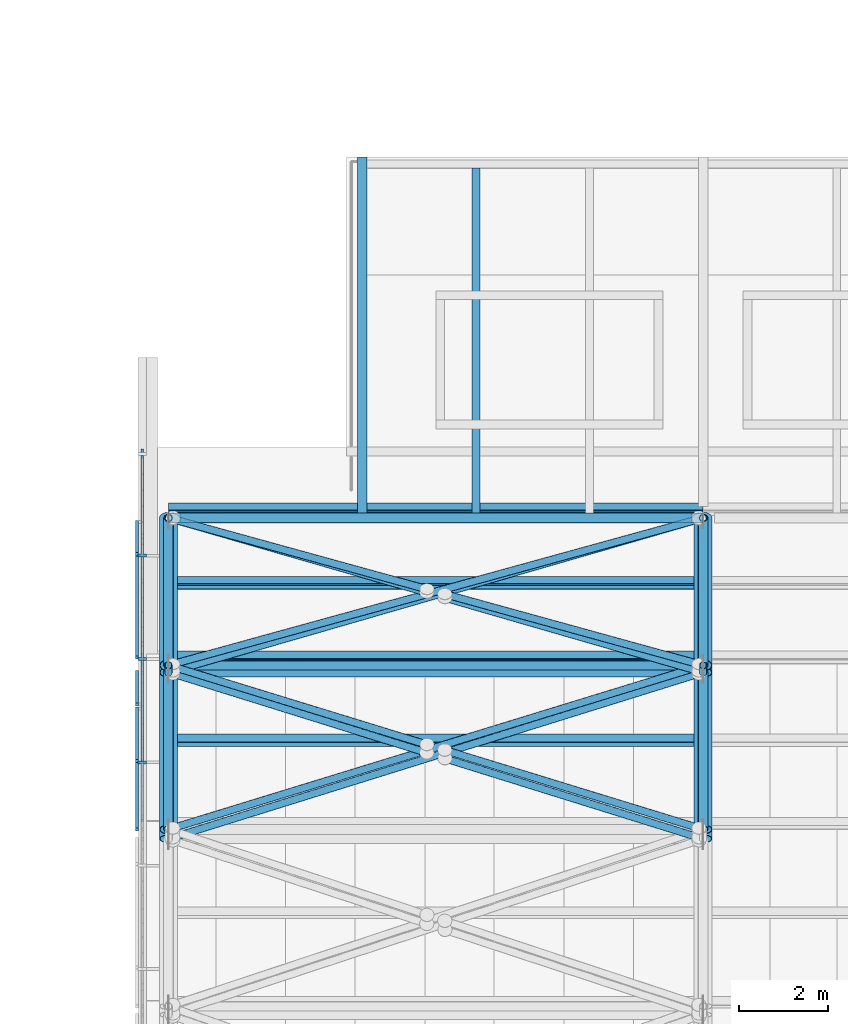
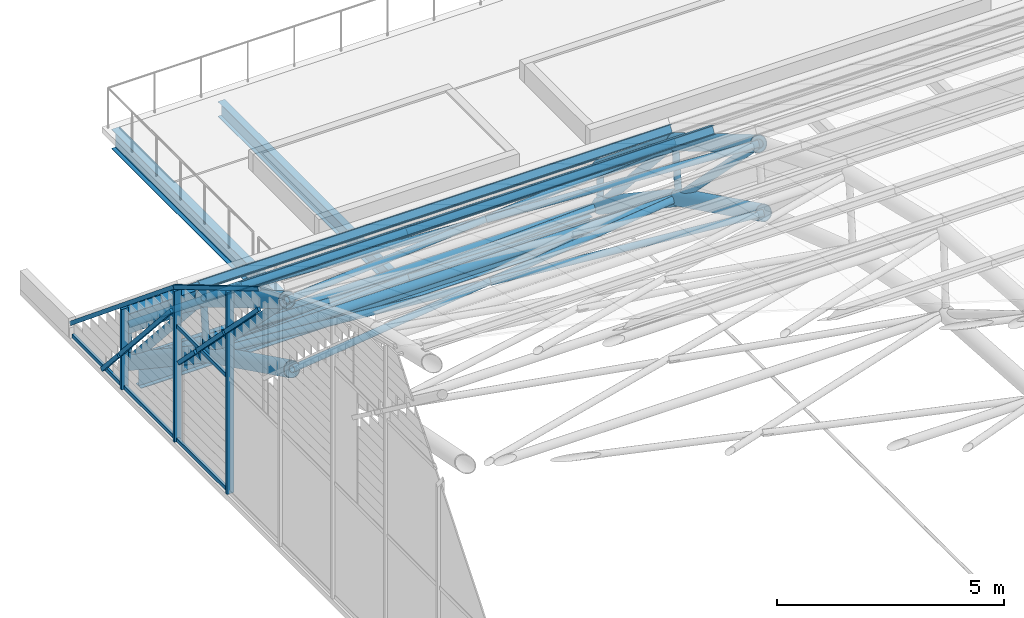
# One storey, part 15 of 110: 50 members, 3 beams, 1 element without a shape of its own.
"""IFC4 building model written with IfcOpenShell, lengths in metres."""

from ifc_helpers import new_model, si_unit, direction, frame, origin, origin_2d, place, context, subcontext, project, spatial, rectangle, hollow_circle, i_section, extrude, material, layer, layer_set, material_profile, profile_set, type_object, element, aggregate, save


model = new_model("IFC4")

# Units and contexts
model_context = context("Model", 3, precision=1e-05, world=origin(), true_north=direction((0.0, 1.0)))
body_context = subcontext(model_context, "Body", "Model", "MODEL_VIEW")
ifc_project = project(units=[si_unit("LENGTHUNIT", "METRE"), si_unit("AREAUNIT", "SQUARE_METRE"), si_unit("VOLUMEUNIT", "CUBIC_METRE"), si_unit("PLANEANGLEUNIT", "RADIAN"), si_unit("MASSUNIT", "GRAM", prefix="KILO")], contexts=[model_context])

# Site, building, storey
site_placement = place(None, origin())
site = spatial("IfcSite", under=ifc_project, at=site_placement, CompositionType="ELEMENT")
building_placement = place(site_placement, origin())
building = spatial("IfcBuilding", under=site, at=building_placement, Name="Windward Yard Aquatics Centre", CompositionType="ELEMENT")
storey_placement = place(building_placement, frame((0.0, 0.0, 22.60009765625)))
storey = spatial("IfcBuildingStorey", under=building, at=storey_placement, Name="L05", CompositionType="ELEMENT", Elevation=22.60009765625)

# Curtain wall, members
ifc_material_1 = material(Name="Glass and aluminium curtain wall", Category="aluminium")
ifc_layer = layer(ifc_material_1, 0.179931640625)
ifc_layer_set = layer_set([ifc_layer], Name="H gable glazing system double glazed 8+16+8")
curtain_wall_type = type_object("IfcCurtainWallType", Name="H gable glazing system double glazed 8+16+8", PredefinedType="NOTDEFINED", material=ifc_layer_set)
curtain_wall_placement = place(storey_placement, origin())
curtain_wall = element("IfcCurtainWall", 1, at=curtain_wall_placement, inside=storey, type_object=curtain_wall_type, Name="Gable glazing W", PredefinedType="NOTDEFINED")
ifc_material_2 = material(Name="Aluminium 6063-T6 anodised", Category="aluminium")
ifc_material_profile_1 = material_profile(ifc_material_2, rectangle(XDim=0.06494140625, YDim=0.179931640625, at=origin_2d()), Name="H CW mullion 65x180")
ifc_profile_set_1 = profile_set([ifc_material_profile_1], Name="Aluminium 6063-T6 anodised")
member_type_1 = type_object("IfcMemberType", Name="H CW mullion 65x180", PredefinedType="MULLION", material=ifc_profile_set_1)
member_1_placement = place(storey_placement, frame((59.409912109375, 74.91552734375, 0.0), z_axis=(0.0, 0.0, 1.0), x_axis=(0.0, 1.0, 0.0)))
member_1 = element("IfcMember", 2, at=member_1_placement, type_object=member_type_1, Name="Gable mullion 16", PredefinedType="MULLION", context=body_context, shape_type="SweptSolid", body=[
    extrude(rectangle(XDim=0.06494140625, YDim=0.179931640625, at=origin_2d()), origin(), (0.0, 0.0, 1.0), 5.436279296875),
])
member_2_placement = place(storey_placement, frame((59.409912109375, 77.234619140625, 0.0), z_axis=(0.0, 0.0, 1.0), x_axis=(0.0, 1.0, 0.0)))
member_2 = element("IfcMember", 3, at=member_2_placement, type_object=member_type_1, Name="Gable mullion 17", PredefinedType="MULLION", context=body_context, shape_type="SweptSolid", body=[
    extrude(rectangle(XDim=0.06494140625, YDim=0.179931640625, at=origin_2d()), origin(), (0.0, 0.0, 1.0), 4.061767578125),
])
member_3_placement = place(storey_placement, frame((59.409912109375, 79.553955078125, 0.0), z_axis=(0.0, 0.0, 1.0), x_axis=(0.0, 1.0, 0.0)))
member_3 = element("IfcMember", 4, at=member_3_placement, type_object=member_type_1, Name="Gable mullion 18", PredefinedType="MULLION", context=body_context, shape_type="SweptSolid", body=[
    extrude(rectangle(XDim=0.06494140625, YDim=0.179931640625, at=origin_2d()), origin(), (0.0, 0.0, 1.0), 2.167724609375),
])
ifc_material_profile_2 = material_profile(ifc_material_2, rectangle(XDim=0.06494140625, YDim=0.10009765625, at=origin_2d()), Name="H CW transom 65x100")
ifc_profile_set_2 = profile_set([ifc_material_profile_2], Name="Aluminium 6063-T6 anodised")
member_type_2 = type_object("IfcMemberType", Name="H CW transom 65x100", PredefinedType="USERDEFINED", material=ifc_profile_set_2)
member_4_placement = place(storey_placement, frame((59.409912109375, 73.60595703125, 6.289794921875), z_axis=(0.0, 0.860254982192, -0.50986406582), x_axis=(-1.0, 0.0, 0.0)))
member_4 = element("IfcMember", 5, at=member_4_placement, type_object=member_type_2, Name="Gable head rail 9", ObjectType="TRANSOM", PredefinedType="USERDEFINED", context=body_context, shape_type="SweptSolid", body=[
    extrude(rectangle(XDim=0.06494140625, YDim=0.10009765625, at=origin_2d()), origin(), (0.0, 0.0, 1.0), 4.340087890625),
])
member_5_placement = place(storey_placement, frame((59.409912109375, 77.345947265625, 4.07275390625), z_axis=(0.0, 0.772760999617, -0.634697122627), x_axis=(-1.0, 0.0, 0.0)))
member_5 = element("IfcMember", 6, at=member_5_placement, type_object=member_type_2, Name="Gable head rail 10", ObjectType="TRANSOM", PredefinedType="USERDEFINED", context=body_context, shape_type="SweptSolid", body=[
    extrude(rectangle(XDim=0.06494140625, YDim=0.10009765625, at=origin_2d()), origin(), (0.0, 0.0, 1.0), 5.907958984375),
])
member_6_placement = place(storey_placement, frame((59.409912109375, 74.947998046875, 0.0498046875), z_axis=(0.0, 1.0, 0.0), x_axis=(-1.0, 0.0, 0.0)))
member_6 = element("IfcMember", 7, at=member_6_placement, type_object=member_type_2, Name="Gable transom 16.1", ObjectType="TRANSOM", PredefinedType="USERDEFINED", context=body_context, shape_type="SweptSolid", body=[
    extrude(rectangle(XDim=0.06494140625, YDim=0.10009765625, at=origin_2d()), origin(), (0.0, 0.0, 1.0), 2.254150390625),
])
member_7_placement = place(storey_placement, frame((59.409912109375, 74.947998046875, 3.099853515625), z_axis=(0.0, 1.0, 0.0), x_axis=(-1.0, 0.0, 0.0)))
member_7 = element("IfcMember", 8, at=member_7_placement, type_object=member_type_2, Name="Gable transom 16.2", ObjectType="TRANSOM", PredefinedType="USERDEFINED", context=body_context, shape_type="SweptSolid", body=[
    extrude(rectangle(XDim=0.06494140625, YDim=0.10009765625, at=origin_2d()), origin(), (0.0, 0.0, 1.0), 2.254150390625),
])
member_8_placement = place(storey_placement, frame((59.409912109375, 77.26708984375, 0.0498046875), z_axis=(0.0, 1.0, 0.0), x_axis=(-1.0, 0.0, 0.0)))
member_8 = element("IfcMember", 9, at=member_8_placement, type_object=member_type_2, Name="Gable transom 17.1", ObjectType="TRANSOM", PredefinedType="USERDEFINED", context=body_context, shape_type="SweptSolid", body=[
    extrude(rectangle(XDim=0.06494140625, YDim=0.10009765625, at=origin_2d()), origin(), (0.0, 0.0, 1.0), 2.25439453125),
])
member_9_placement = place(storey_placement, frame((59.409912109375, 79.58642578125, 0.0498046875), z_axis=(0.0, 1.0, 0.0), x_axis=(-1.0, 0.0, 0.0)))
member_9 = element("IfcMember", 10, at=member_9_placement, type_object=member_type_2, Name="Gable transom 18.1", ObjectType="TRANSOM", PredefinedType="USERDEFINED", context=body_context, shape_type="SweptSolid", body=[
    extrude(rectangle(XDim=0.06494140625, YDim=0.10009765625, at=origin_2d()), origin(), (0.0, 0.0, 1.0), 2.2216796875),
])
member_10_placement = place(storey_placement, frame((59.28759765625, 73.40966796875, 5.900390625), z_axis=(0.0, 0.701562472917, -0.712607954344), x_axis=(-1.0, 0.0, 0.0)))
member_10 = element("IfcMember", 11, at=member_10_placement, type_object=member_type_2, Name="Gable cover strip 9.1", ObjectType="COVER STRIP", PredefinedType="USERDEFINED", context=body_context, shape_type="SweptSolid", body=[
    extrude(rectangle(XDim=0.06494140625, YDim=0.10009765625, at=origin_2d()), origin(), (0.0, 0.0, 1.0), 2.099853515625),
])
member_11_placement = place(storey_placement, frame((59.28759765625, 74.947998046875, 4.338134765625), z_axis=(0.0, 0.701595103433, -0.712575828132), x_axis=(-1.0, 0.0, 0.0)))
member_11 = element("IfcMember", 12, at=member_11_placement, type_object=member_type_2, Name="Gable cover strip 9.2", ObjectType="COVER STRIP", PredefinedType="USERDEFINED", context=body_context, shape_type="SweptSolid", body=[
    extrude(rectangle(XDim=0.06494140625, YDim=0.10009765625, at=origin_2d()), origin(), (0.0, 0.0, 1.0), 1.66748046875),
])
member_12_placement = place(storey_placement, frame((59.28759765625, 76.21630859375, 3.0498046875), z_axis=(0.0, 0.701606113991, -0.712564987079), x_axis=(-1.0, 0.0, 0.0)))
member_12 = element("IfcMember", 13, at=member_12_placement, type_object=member_type_2, Name="Gable cover strip 9.3", ObjectType="COVER STRIP", PredefinedType="USERDEFINED", context=body_context, shape_type="SweptSolid", body=[
    extrude(rectangle(XDim=0.06494140625, YDim=0.10009765625, at=origin_2d()), origin(), (0.0, 0.0, 1.0), 1.02490234375),
])
member_13_placement = place(storey_placement, frame((59.28759765625, 77.26708984375, 3.521484375), z_axis=(0.0, 0.664694400873, -0.747115354847), x_axis=(-1.0, 0.0, 0.0)))
member_13 = element("IfcMember", 14, at=member_13_placement, type_object=member_type_2, Name="Gable cover strip 10.2", ObjectType="COVER STRIP", PredefinedType="USERDEFINED", context=body_context, shape_type="SweptSolid", body=[
    extrude(rectangle(XDim=0.06494140625, YDim=0.10009765625, at=origin_2d()), origin(), (0.0, 0.0, 1.0), 3.3916015625),
])
member_14_placement = place(storey_placement, frame((59.28759765625, 79.58642578125, 0.91455078125), z_axis=(0.0, 0.664586182346, -0.747211620784), x_axis=(-1.0, 0.0, 0.0)))
member_14 = element("IfcMember", 15, at=member_14_placement, type_object=member_type_2, Name="Gable cover strip 10.3", ObjectType="COVER STRIP", PredefinedType="USERDEFINED", context=body_context, shape_type="SweptSolid", body=[
    extrude(rectangle(XDim=0.06494140625, YDim=0.10009765625, at=origin_2d()), origin(), (0.0, 0.0, 1.0), 1.09033203125),
])
aggregate(curtain_wall, [member_1, member_2, member_3, member_4, member_5, member_6, member_7, member_8, member_9, member_10, member_11, member_12, member_13, member_14])

# Members
ifc_material_3 = material(Name="Steel ASTM A500 Gr C", Category="steel")
ifc_material_profile_3 = material_profile(ifc_material_3, hollow_circle(Radius=0.084228515625, WallThickness=0.010986328125, at=origin_2d()), Name="HSS168.3X11")
ifc_profile_set_3 = profile_set([ifc_material_profile_3], Name="Steel ASTM A500 Gr C")
member_type_3 = type_object("IfcMemberType", Name="H arch post HSS168.3X11", PredefinedType="POST", material=ifc_profile_set_3)
member_15_placement = place(storey_placement, frame((60.0, 76.935302734375, 2.319580078125), z_axis=(0.0, 0.111745510026, 0.993736857015), x_axis=(-1.0, 0.0, 0.0)))
element("IfcMember", 16, at=member_15_placement, inside=storey, type_object=member_type_3, Name="H.AT.1.WP10", PredefinedType="POST", context=body_context, shape_type="SweptSolid", body=[
    extrude(hollow_circle(Radius=0.084228515625, WallThickness=0.010986328125, at=origin_2d()), origin(), (0.0, 0.0, 1.0), 1.406982421875),
])
member_16_placement = place(storey_placement, frame((60.0, 80.39990234375, 0.0), z_axis=(0.0, 0.0, 1.0), x_axis=(1.0, 0.0, 0.0)))
element("IfcMember", 17, at=member_16_placement, inside=storey, type_object=member_type_3, Name="H.AT.1.WP11", PredefinedType="POST", context=body_context, shape_type="SweptSolid", body=[
    extrude(hollow_circle(Radius=0.084228515625, WallThickness=0.010986328125, at=origin_2d()), origin(), (0.0, 0.0, 1.0), 1.0),
])
member_17_placement = place(storey_placement, frame((72.0, 76.935302734375, 2.319580078125), z_axis=(0.0, 0.111745510026, 0.993736857015), x_axis=(-1.0, 0.0, 0.0)))
element("IfcMember", 18, at=member_17_placement, inside=storey, type_object=member_type_3, Name="H.AT.2.WP10", PredefinedType="POST", context=body_context, shape_type="SweptSolid", body=[
    extrude(hollow_circle(Radius=0.084228515625, WallThickness=0.010986328125, at=origin_2d()), origin(), (0.0, 0.0, 1.0), 1.406982421875),
])
member_18_placement = place(storey_placement, frame((72.0, 80.39990234375, 0.0), z_axis=(0.0, 0.0, 1.0), x_axis=(1.0, 0.0, 0.0)))
element("IfcMember", 19, at=member_18_placement, inside=storey, type_object=member_type_3, Name="H.AT.2.WP11", PredefinedType="POST", context=body_context, shape_type="SweptSolid", body=[
    extrude(hollow_circle(Radius=0.084228515625, WallThickness=0.010986328125, at=origin_2d()), origin(), (0.0, 0.0, 1.0), 1.0),
])
ifc_material_profile_4 = material_profile(ifc_material_3, hollow_circle(Radius=0.203125, WallThickness=0.015869140625, at=origin_2d()), Name="HSS406.4X15.9")
ifc_profile_set_4 = profile_set([ifc_material_profile_4], Name="Steel ASTM A500 Gr C")
member_type_4 = type_object("IfcMemberType", Name="H arch top chord HSS406.4X15.9", PredefinedType="CHORD", material=ifc_profile_set_4)
member_19_placement = place(storey_placement, frame((60.0, 73.40966796875, 5.900390625), z_axis=(0.0, 0.860273006082, -0.509833654251), x_axis=(-1.0, 0.0, 0.0)))
element("IfcMember", 20, at=member_19_placement, inside=storey, type_object=member_type_4, Name="H.AT.1.TC09", PredefinedType="CHORD", context=body_context, shape_type="SweptSolid", body=[
    extrude(hollow_circle(Radius=0.203125, WallThickness=0.015869140625, at=origin_2d()), origin(), (0.0, 0.0, 1.0), 4.281005859375),
])
member_20_placement = place(storey_placement, frame((60.0, 73.197265625, 4.16650390625), z_axis=(0.0, 0.896536837976, -0.4429691842), x_axis=(-1.0, 0.0, 0.0)))
element("IfcMember", 21, at=member_20_placement, inside=storey, type_object=member_type_4, Name="H.AT.1.BC09", PredefinedType="CHORD", context=body_context, shape_type="SweptSolid", body=[
    extrude(hollow_circle(Radius=0.203125, WallThickness=0.015869140625, at=origin_2d()), origin(), (0.0, 0.0, 1.0), 4.16943359375),
])
member_21_placement = place(storey_placement, frame((60.0, 77.092529296875, 3.7177734375), z_axis=(0.0, 0.772611352747, -0.634879277979), x_axis=(-1.0, 0.0, 0.0)))
element("IfcMember", 22, at=member_21_placement, inside=storey, type_object=member_type_4, Name="H.AT.1.TC10", PredefinedType="CHORD", context=body_context, shape_type="SweptSolid", body=[
    extrude(hollow_circle(Radius=0.203125, WallThickness=0.015869140625, at=origin_2d()), origin(), (0.0, 0.0, 1.0), 4.28076171875),
])
member_22_placement = place(storey_placement, frame((60.0, 76.935302734375, 2.319580078125), z_axis=(0.0, 0.83095865789, -0.556334170151), x_axis=(-1.0, 0.0, 0.0)))
element("IfcMember", 23, at=member_22_placement, inside=storey, type_object=member_type_4, Name="H.AT.1.BC10", PredefinedType="CHORD", context=body_context, shape_type="SweptSolid", body=[
    extrude(hollow_circle(Radius=0.203125, WallThickness=0.015869140625, at=origin_2d()), origin(), (0.0, 0.0, 1.0), 4.16943359375),
])
member_23_placement = place(storey_placement, frame((72.0, 73.40966796875, 5.900390625), z_axis=(0.0, 0.860273006082, -0.509833654251), x_axis=(-1.0, 0.0, 0.0)))
element("IfcMember", 24, at=member_23_placement, inside=storey, type_object=member_type_4, Name="H.AT.2.TC09", PredefinedType="CHORD", context=body_context, shape_type="SweptSolid", body=[
    extrude(hollow_circle(Radius=0.203125, WallThickness=0.015869140625, at=origin_2d()), origin(), (0.0, 0.0, 1.0), 4.281005859375),
])
member_24_placement = place(storey_placement, frame((72.0, 73.197265625, 4.16650390625), z_axis=(0.0, 0.896536837976, -0.4429691842), x_axis=(-1.0, 0.0, 0.0)))
element("IfcMember", 25, at=member_24_placement, inside=storey, type_object=member_type_4, Name="H.AT.2.BC09", PredefinedType="CHORD", context=body_context, shape_type="SweptSolid", body=[
    extrude(hollow_circle(Radius=0.203125, WallThickness=0.015869140625, at=origin_2d()), origin(), (0.0, 0.0, 1.0), 4.16943359375),
])
member_25_placement = place(storey_placement, frame((72.0, 77.092529296875, 3.7177734375), z_axis=(0.0, 0.772611352747, -0.634879277979), x_axis=(-1.0, 0.0, 0.0)))
element("IfcMember", 26, at=member_25_placement, inside=storey, type_object=member_type_4, Name="H.AT.2.TC10", PredefinedType="CHORD", context=body_context, shape_type="SweptSolid", body=[
    extrude(hollow_circle(Radius=0.203125, WallThickness=0.015869140625, at=origin_2d()), origin(), (0.0, 0.0, 1.0), 4.28076171875),
])
member_26_placement = place(storey_placement, frame((72.0, 76.935302734375, 2.319580078125), z_axis=(0.0, 0.83095865789, -0.556334170151), x_axis=(-1.0, 0.0, 0.0)))
element("IfcMember", 27, at=member_26_placement, inside=storey, type_object=member_type_4, Name="H.AT.2.BC10", PredefinedType="CHORD", context=body_context, shape_type="SweptSolid", body=[
    extrude(hollow_circle(Radius=0.203125, WallThickness=0.015869140625, at=origin_2d()), origin(), (0.0, 0.0, 1.0), 4.16943359375),
])
ifc_material_profile_5 = material_profile(ifc_material_3, hollow_circle(Radius=0.109619140625, WallThickness=0.00830078125, at=origin_2d()), Name="HSS219.1X8.2")
ifc_profile_set_5 = profile_set([ifc_material_profile_5], Name="Steel ASTM A500 Gr C")
member_type_5 = type_object("IfcMemberType", Name="H arch web diagonal HSS219.1X8.2", PredefinedType="BRACE", material=ifc_profile_set_5)
member_27_placement = place(storey_placement, frame((60.0, 73.40966796875, 5.900390625), z_axis=(0.0, 0.701595524129, -0.712575413919), x_axis=(-1.0, 0.0, 0.0)))
element("IfcMember", 28, at=member_27_placement, inside=storey, type_object=member_type_5, Name="H.AT.1.WD09", PredefinedType="BRACE", context=body_context, shape_type="SweptSolid", body=[
    extrude(hollow_circle(Radius=0.109619140625, WallThickness=0.00830078125, at=origin_2d()), origin(), (0.0, 0.0, 1.0), 5.025146484375),
])
member_28_placement = place(storey_placement, frame((60.0, 77.092529296875, 3.7177734375), z_axis=(0.0, 0.664665272452, -0.747141268835), x_axis=(-1.0, 0.0, 0.0)))
element("IfcMember", 29, at=member_28_placement, inside=storey, type_object=member_type_5, Name="H.AT.1.WD10", PredefinedType="BRACE", context=body_context, shape_type="SweptSolid", body=[
    extrude(hollow_circle(Radius=0.109619140625, WallThickness=0.00830078125, at=origin_2d()), origin(), (0.0, 0.0, 1.0), 4.97607421875),
])
member_29_placement = place(storey_placement, frame((72.0, 73.40966796875, 5.900390625), z_axis=(0.0, 0.701595524129, -0.712575413919), x_axis=(-1.0, 0.0, 0.0)))
element("IfcMember", 30, at=member_29_placement, inside=storey, type_object=member_type_5, Name="H.AT.2.WD09", PredefinedType="BRACE", context=body_context, shape_type="SweptSolid", body=[
    extrude(hollow_circle(Radius=0.109619140625, WallThickness=0.00830078125, at=origin_2d()), origin(), (0.0, 0.0, 1.0), 5.025146484375),
])
member_30_placement = place(storey_placement, frame((72.0, 77.092529296875, 3.7177734375), z_axis=(0.0, 0.664665272452, -0.747141268835), x_axis=(-1.0, 0.0, 0.0)))
element("IfcMember", 31, at=member_30_placement, inside=storey, type_object=member_type_5, Name="H.AT.2.WD10", PredefinedType="BRACE", context=body_context, shape_type="SweptSolid", body=[
    extrude(hollow_circle(Radius=0.109619140625, WallThickness=0.00830078125, at=origin_2d()), origin(), (0.0, 0.0, 1.0), 4.97607421875),
])

# Beam
ifc_material_4 = material(Name="Steel ASTM A992 Gr 50", Category="steel")
ifc_material_profile_6 = material_profile(ifc_material_4, i_section(OverallWidth=0.22802734375, OverallDepth=0.60205078125, WebThickness=0.010498046875, FlangeThickness=0.014892578125, at=origin_2d()), Name="W610X101")
ifc_profile_set_6 = profile_set([ifc_material_profile_6], Name="Steel ASTM A992 Gr 50")
beam_type_1 = type_object("IfcBeamType", Name="H eave girder W610X101", PredefinedType="BEAM", material=ifc_profile_set_6)
beam_1_placement = place(storey_placement, frame((60.25390625, 80.39990234375, -0.451171875), z_axis=(1.0, 0.0, 0.0), x_axis=(0.0, 1.0, 0.0)))
element("IfcBeam", 32, at=beam_1_placement, inside=storey, type_object=beam_type_1, Name="H.EG.N1", PredefinedType="BEAM", context=body_context, shape_type="SweptSolid", body=[
    extrude(i_section(OverallWidth=0.22802734375, OverallDepth=0.60205078125, WebThickness=0.010498046875, FlangeThickness=0.014892578125, at=origin_2d()), origin(), (0.0, 0.0, 1.0), 11.4921875),
])

# Members
ifc_material_profile_7 = material_profile(ifc_material_3, hollow_circle(Radius=0.084228515625, WallThickness=0.007080078125, at=origin_2d()), Name="HSS168.3X7.1")
ifc_profile_set_7 = profile_set([ifc_material_profile_7], Name="Steel ASTM A500 Gr C")
member_type_6 = type_object("IfcMemberType", Name="H roof brace HSS168.3X7.1", PredefinedType="BRACE", material=ifc_profile_set_7)
member_31_placement = place(storey_placement, frame((60.0, 73.40966796875, 5.900390625), z_axis=(0.941858113102, 0.289061068444, -0.171309642154), x_axis=(-0.293398305701, 0.955990289811, 0.0)))
element("IfcMember", 33, at=member_31_placement, inside=storey, type_object=member_type_6, Name="H.RB.1.T09A", PredefinedType="BRACE", context=body_context, shape_type="SweptSolid", body=[
    extrude(hollow_circle(Radius=0.084228515625, WallThickness=0.007080078125, at=origin_2d()), origin(), (0.0, 0.0, 1.0), 12.74072265625),
])
for number, where, z_axis, x_axis, name in (
    (34, (60.0, 77.092529296875, 3.7177734375), (0.941852913736, -0.28907159229, 0.171320469934), (0.293409548172, 0.955986839366, 0.0), "H.RB.1.T09B1"),
    (35, (66.1064453125, 75.218505859375, 4.828369140625), (0.941852913736, -0.28907159229, 0.171320469934), (0.293409548172, 0.955986839366, 0.0), "H.RB.1.T09B2"),
):
    element("IfcMember", number, at=place(storey_placement, frame(where, z_axis=z_axis, x_axis=x_axis)), inside=storey, type_object=member_type_6, Name=name, PredefinedType="BRACE", context=body_context, shape_type="SweptSolid", body=[
        extrude(hollow_circle(Radius=0.084228515625, WallThickness=0.007080078125, at=origin_2d()), origin(), (0.0, 0.0, 1.0), 6.25732421875),
    ])
member_32_placement = place(storey_placement, frame((60.0, 77.092529296875, 3.7177734375), z_axis=(0.941864717314, 0.259591498321, -0.21331457587), x_axis=(-0.265707128431, 0.964053796165, 0.0)))
element("IfcMember", 36, at=member_32_placement, inside=storey, type_object=member_type_6, Name="H.RB.1.T10A", PredefinedType="BRACE", context=body_context, shape_type="SweptSolid", body=[
    extrude(hollow_circle(Radius=0.084228515625, WallThickness=0.007080078125, at=origin_2d()), origin(), (0.0, 0.0, 1.0), 12.74072265625),
])
for number, where, z_axis, x_axis, name in (
    (37, (60.0, 80.39990234375, 1.0), (0.941869878375, -0.259579962752, 0.213305825397), (0.265694801521, 0.964057193555, 0.0), "H.RB.1.T10B1"),
    (38, (66.1064453125, 78.716796875, 2.383056640625), (0.941869878375, -0.259579962752, 0.213305825397), (0.265694801521, 0.964057193555, 0.0), "H.RB.1.T10B2"),
):
    element("IfcMember", number, at=place(storey_placement, frame(where, z_axis=z_axis, x_axis=x_axis)), inside=storey, type_object=member_type_6, Name=name, PredefinedType="BRACE", context=body_context, shape_type="SweptSolid", body=[
        extrude(hollow_circle(Radius=0.084228515625, WallThickness=0.007080078125, at=origin_2d()), origin(), (0.0, 0.0, 1.0), 6.25732421875),
    ])
member_33_placement = place(storey_placement, frame((60.0, 73.197265625, 4.16650390625), z_axis=(0.944606527351, 0.294247854416, -0.145384691964), x_axis=(-0.297407751548, 0.95475055869, 0.0)))
element("IfcMember", 39, at=member_33_placement, inside=storey, type_object=member_type_6, Name="H.RB.1.B09A", PredefinedType="BRACE", context=body_context, shape_type="SweptSolid", body=[
    extrude(hollow_circle(Radius=0.084228515625, WallThickness=0.007080078125, at=origin_2d()), origin(), (0.0, 0.0, 1.0), 12.70361328125),
])
for number, where, z_axis, x_axis, name in (
    (40, (60.0, 76.935302734375, 2.319580078125), (0.944603517072, -0.294249006727, 0.145401917374), (0.297409677169, 0.954749958851, 0.0), "H.RB.1.B09B1"),
    (41, (66.109375, 75.0322265625, 3.260009765625), (0.944608893491, -0.29425068151, 0.145363595057), (0.297409677169, 0.954749958851, 0.0), "H.RB.1.B09B2"),
):
    element("IfcMember", number, at=place(storey_placement, frame(where, z_axis=z_axis, x_axis=x_axis)), inside=storey, type_object=member_type_6, Name=name, PredefinedType="BRACE", context=body_context, shape_type="SweptSolid", body=[
        extrude(hollow_circle(Radius=0.084228515625, WallThickness=0.007080078125, at=origin_2d()), origin(), (0.0, 0.0, 1.0), 6.236083984375),
    ])
member_34_placement = place(storey_placement, frame((60.0, 76.935302734375, 2.319580078125), z_axis=(0.944606957166, 0.272723741234, -0.182590956625), x_axis=(-0.277386901916, 0.960758297724, 0.0)))
element("IfcMember", 42, at=member_34_placement, inside=storey, type_object=member_type_6, Name="H.RB.1.B10A", PredefinedType="BRACE", context=body_context, shape_type="SweptSolid", body=[
    extrude(hollow_circle(Radius=0.084228515625, WallThickness=0.007080078125, at=origin_2d()), origin(), (0.0, 0.0, 1.0), 12.70361328125),
])
for number, where, z_axis, x_axis, name in (
    (43, (60.0, 80.39990234375, 0.0), (0.944607860476, -0.272717935845, 0.182594954462), (0.27738120673, 0.960759942001, 0.0), "H.RB.1.B10B1"),
    (44, (66.109375, 78.63623046875, 1.180908203125), (0.944597774459, -0.272754173353, 0.182593004811), (0.277417961706, 0.960749329702, 0.0), "H.RB.1.B10B2"),
):
    element("IfcMember", number, at=place(storey_placement, frame(where, z_axis=z_axis, x_axis=x_axis)), inside=storey, type_object=member_type_6, Name=name, PredefinedType="BRACE", context=body_context, shape_type="SweptSolid", body=[
        extrude(hollow_circle(Radius=0.084228515625, WallThickness=0.007080078125, at=origin_2d()), origin(), (0.0, 0.0, 1.0), 6.236083984375),
    ])
ifc_material_profile_8 = material_profile(ifc_material_4, i_section(OverallWidth=0.202880859375, OverallDepth=0.202880859375, WebThickness=0.00732421875, FlangeThickness=0.010986328125, at=origin_2d()), Name="W200X46.1")
ifc_profile_set_8 = profile_set([ifc_material_profile_8], Name="Steel ASTM A992 Gr 50")
member_type_7 = type_object("IfcMemberType", Name="H roof purlin W200X46.1", PredefinedType="PURLIN", material=ifc_profile_set_8)
for number, where, z_axis, x_axis, name in (
    (45, (60.0, 75.406494140625, 5.0712890625), (1.0, 0.0, 0.0), (0.0, 0.860270260664, -0.509838286732), "H.PU.1.18"),
    (46, (60.0, 77.267333984375, 3.96728515625), (1.0, 0.0, 0.0), (0.0, 0.818830898872, -0.574034806481), "H.PU.1.19"),
    (47, (60.0, 78.939697265625, 2.59423828125), (1.0, 0.0, 0.0), (0.0, 0.772610863417, -0.634879873464), "H.PU.1.20"),
    (48, (60.0, 80.593505859375, 1.2353515625), (1.0, 0.0, 0.0), (0.0, 0.772610863417, -0.634879873464), "H.PU.1.21"),
):
    element("IfcMember", number, at=place(storey_placement, frame(where, z_axis=z_axis, x_axis=x_axis)), inside=storey, type_object=member_type_7, Name=name, PredefinedType="PURLIN", context=body_context, shape_type="SweptSolid", body=[
        extrude(i_section(OverallWidth=0.202880859375, OverallDepth=0.202880859375, WebThickness=0.00732421875, FlangeThickness=0.010986328125, at=origin_2d()), origin(), (0.0, 0.0, 1.0), 12.0),
    ])
ifc_material_profile_9 = material_profile(ifc_material_3, hollow_circle(Radius=0.109619140625, WallThickness=0.00830078125, at=origin_2d()), Name="HSS219.1X8.2")
ifc_profile_set_9 = profile_set([ifc_material_profile_9], Name="Steel ASTM A500 Gr C")
member_type_8 = type_object("IfcMemberType", Name="H roof strut HSS219.1X8.2", PredefinedType="STRUT", material=ifc_profile_set_9)
for number, where, z_axis, x_axis, name in (
    (49, (60.0, 77.092529296875, 3.7177734375), (1.0, 0.0, 0.0), (0.0, 1.0, 0.0), "H.RS.1.T10"),
    (50, (60.0, 80.39990234375, 1.0), (1.0, 0.0, 0.0), (0.0, 1.0, 0.0), "H.RS.1.T11"),
    (51, (60.0, 76.935302734375, 2.319580078125), (1.0, 0.0, 0.0), (0.0, 1.0, 0.0), "H.RS.1.B10"),
    (52, (60.0, 80.39990234375, 0.0), (1.0, 0.0, 0.0), (0.0, 1.0, 0.0), "H.RS.1.B11"),
):
    element("IfcMember", number, at=place(storey_placement, frame(where, z_axis=z_axis, x_axis=x_axis)), inside=storey, type_object=member_type_8, Name=name, PredefinedType="STRUT", context=body_context, shape_type="SweptSolid", body=[
        extrude(hollow_circle(Radius=0.109619140625, WallThickness=0.00830078125, at=origin_2d()), origin(), (0.0, 0.0, 1.0), 12.0),
    ])

# Beams
ifc_material_profile_10 = material_profile(ifc_material_4, i_section(OverallWidth=0.208984375, OverallDepth=0.528076171875, WebThickness=0.009521484375, FlangeThickness=0.01318359375, at=origin_2d()), Name="W530X82")
ifc_profile_set_10 = profile_set([ifc_material_profile_10], Name="Steel ASTM A992 Gr 50")
beam_type_2 = type_object("IfcBeamType", Name="H terrace primary beam W530X82", PredefinedType="BEAM", material=ifc_profile_set_10)
beam_2_placement = place(storey_placement, frame((64.35009765625, 88.5, -0.4140625), z_axis=(0.0, -1.0, 0.0), x_axis=(1.0, 0.0, 0.0)))
element("IfcBeam", 53, at=beam_2_placement, inside=storey, type_object=beam_type_2, Name="H.T2B.N1", PredefinedType="BEAM", context=body_context, shape_type="SweptSolid", body=[
    extrude(i_section(OverallWidth=0.208984375, OverallDepth=0.528076171875, WebThickness=0.009521484375, FlangeThickness=0.01318359375, at=origin_2d()), origin(), (0.0, 0.0, 1.0), 7.986083984375),
])
ifc_material_profile_11 = material_profile(ifc_material_4, i_section(OverallWidth=0.177978515625, OverallDepth=0.406005859375, WebThickness=0.0078125, FlangeThickness=0.0126953125, at=origin_2d()), Name="W410X60")
ifc_profile_set_11 = profile_set([ifc_material_profile_11], Name="Steel ASTM A992 Gr 50")
beam_type_3 = type_object("IfcBeamType", Name="H terrace secondary beam W410X60", PredefinedType="BEAM", material=ifc_profile_set_11)
beam_3_placement = place(storey_placement, frame((66.89990234375, 88.25341796875, -0.35302734375), z_axis=(0.0, -1.0, 0.0), x_axis=(1.0, 0.0, 0.0)))
element("IfcBeam", 54, at=beam_3_placement, inside=storey, type_object=beam_type_3, Name="H.T2S.N1.1", PredefinedType="BEAM", context=body_context, shape_type="SweptSolid", body=[
    extrude(i_section(OverallWidth=0.177978515625, OverallDepth=0.406005859375, WebThickness=0.0078125, FlangeThickness=0.0126953125, at=origin_2d()), origin(), (0.0, 0.0, 1.0), 7.739501953125),
])

save(model, "model.ifc")
